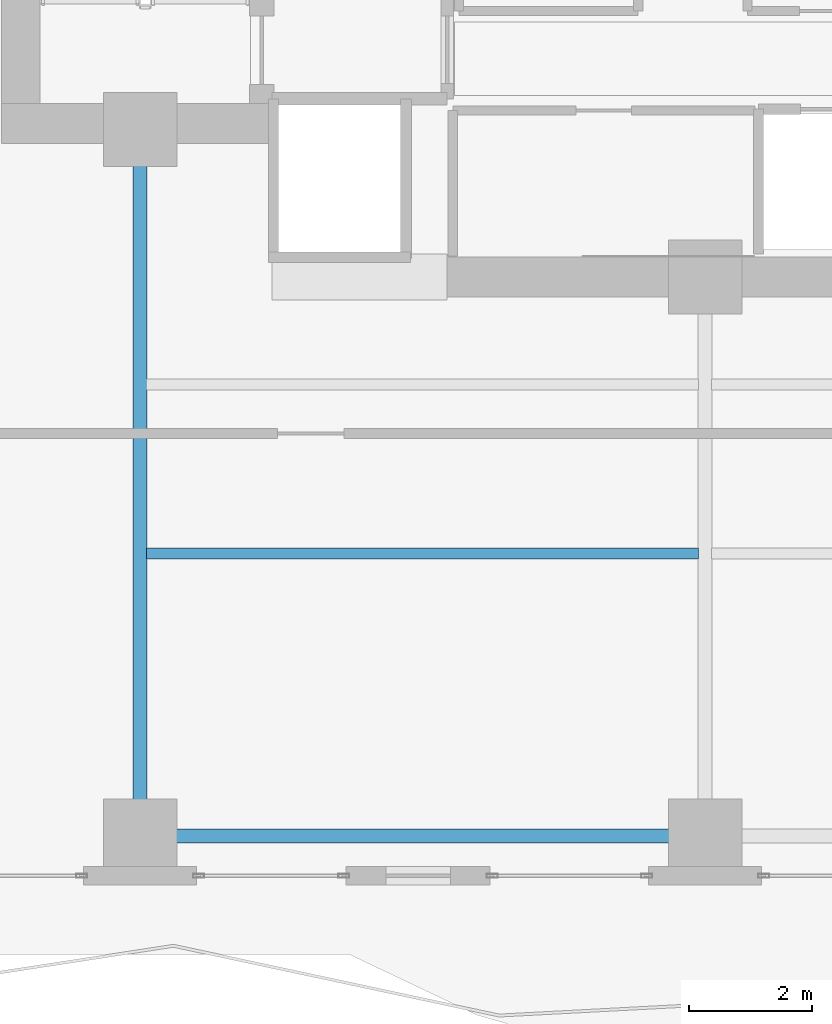
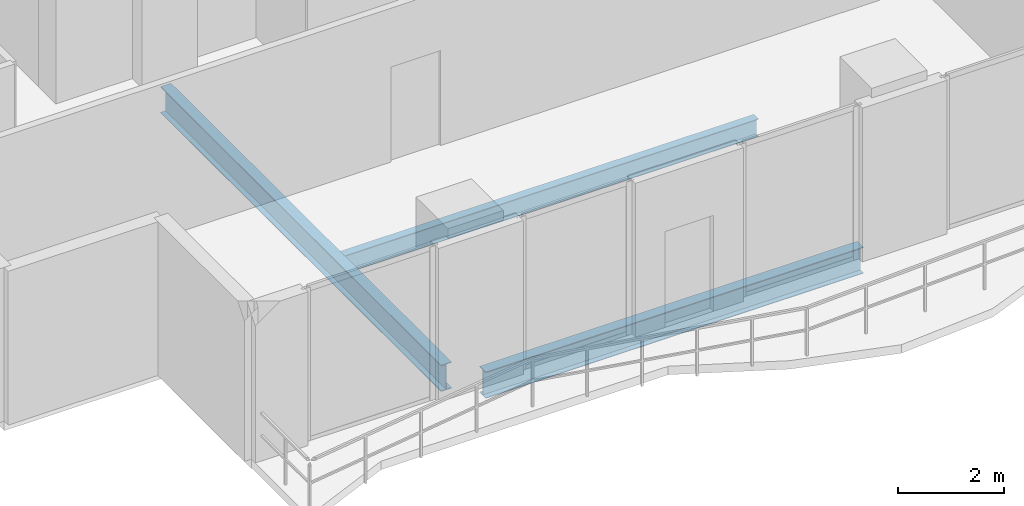
# One storey, part 3 of 33: 3 beams.
"""IFC4 building model written with IfcOpenShell, lengths in metres."""

from ifc_helpers import new_model, si_unit, direction, frame, origin, origin_2d, place, context, subcontext, project, spatial, i_section, extrude, material, material_profile, profile_set, type_object, element, save


model = new_model("IFC4")

# Units and contexts
model_context = context("Model", 3, precision=1e-05, world=origin(), true_north=direction((0.0, 1.0)))
body_context = subcontext(model_context, "Body", "Model", "MODEL_VIEW")
ifc_project = project(units=[si_unit("LENGTHUNIT", "METRE"), si_unit("AREAUNIT", "SQUARE_METRE"), si_unit("VOLUMEUNIT", "CUBIC_METRE"), si_unit("PLANEANGLEUNIT", "RADIAN"), si_unit("MASSUNIT", "GRAM", prefix="KILO")], contexts=[model_context])

# Site, building, storey
site_placement = place(None, origin())
site = spatial("IfcSite", under=ifc_project, at=site_placement, CompositionType="ELEMENT")
building_placement = place(site_placement, origin())
building = spatial("IfcBuilding", under=site, at=building_placement, Name="Zuhayl Quay Hotel", CompositionType="ELEMENT")
storey_placement = place(building_placement, frame((0.0, 0.0, 211.14990234375)))
storey = spatial("IfcBuildingStorey", under=building, at=storey_placement, Name="L53", CompositionType="ELEMENT", Elevation=211.14990234375)

# Beams
ifc_material = material(Name="Steel ASTM A992 Grade 50", Category="steel")
ifc_material_profile_1 = material_profile(ifc_material, i_section(OverallWidth=0.22802734375, OverallDepth=0.60693359375, WebThickness=0.01123046875, FlangeThickness=0.017333984375, at=origin_2d()), Name="W24X76")
ifc_profile_set_1 = profile_set([ifc_material_profile_1], Name="Steel ASTM A992 Grade 50")
beam_type_1 = type_object("IfcBeamType", Name="BM_B3_W24X76", PredefinedType="BEAM", material=ifc_profile_set_1)
beam_1_placement = place(storey_placement, frame((-13.300048828125, -6.949951171875, -0.5234375), z_axis=(1.0, 0.0, 0.0), x_axis=(0.0, 1.0, 0.0)))
element("IfcBeam", 1, at=beam_1_placement, inside=storey, type_object=beam_type_1, Name="L53 Floor Beam RG_L53_01", PredefinedType="BEAM", context=body_context, shape_type="SweptSolid", body=[
    extrude(i_section(OverallWidth=0.22802734375, OverallDepth=0.60693359375, WebThickness=0.01123046875, FlangeThickness=0.017333984375, at=origin_2d()), origin(), (0.0, 0.0, 1.0), 8.199951171875),
])
beam_2_placement = place(storey_placement, frame((-13.800048828125, -6.449951171875, -0.5234375), z_axis=(0.0, 1.0, 0.0), x_axis=(-1.0, 0.0, 0.0)))
element("IfcBeam", 2, at=beam_2_placement, inside=storey, type_object=beam_type_1, Name="L53 Floor Beam FG_S_L53_1", PredefinedType="BEAM", context=body_context, shape_type="SweptSolid", body=[
    extrude(i_section(OverallWidth=0.22802734375, OverallDepth=0.60693359375, WebThickness=0.01123046875, FlangeThickness=0.017333984375, at=origin_2d()), origin(), (0.0, 0.0, 1.0), 10.550048828125),
])
ifc_material_profile_2 = material_profile(ifc_material, i_section(OverallWidth=0.177978515625, OverallDepth=0.406005859375, WebThickness=0.0078125, FlangeThickness=0.0126953125, at=origin_2d()), Name="W16X40")
ifc_profile_set_2 = profile_set([ifc_material_profile_2], Name="Steel ASTM A992 Grade 50")
beam_type_2 = type_object("IfcBeamType", Name="BM_J2B_W16X40", PredefinedType="JOIST", material=ifc_profile_set_2)
beam_3_placement = place(storey_placement, frame((-13.694091796875, -2.35009765625, -0.4228515625), z_axis=(1.0, 0.0, 0.0), x_axis=(0.0, 1.0, 0.0)))
element("IfcBeam", 3, at=beam_3_placement, inside=storey, type_object=beam_type_2, Name="L53 Floor Beam FJ_L53_7_1", PredefinedType="JOIST", context=body_context, shape_type="SweptSolid", body=[
    extrude(i_section(OverallWidth=0.177978515625, OverallDepth=0.406005859375, WebThickness=0.0078125, FlangeThickness=0.0126953125, at=origin_2d()), origin(), (0.0, 0.0, 1.0), 8.988037109375),
])

save(model, "model.ifc")
